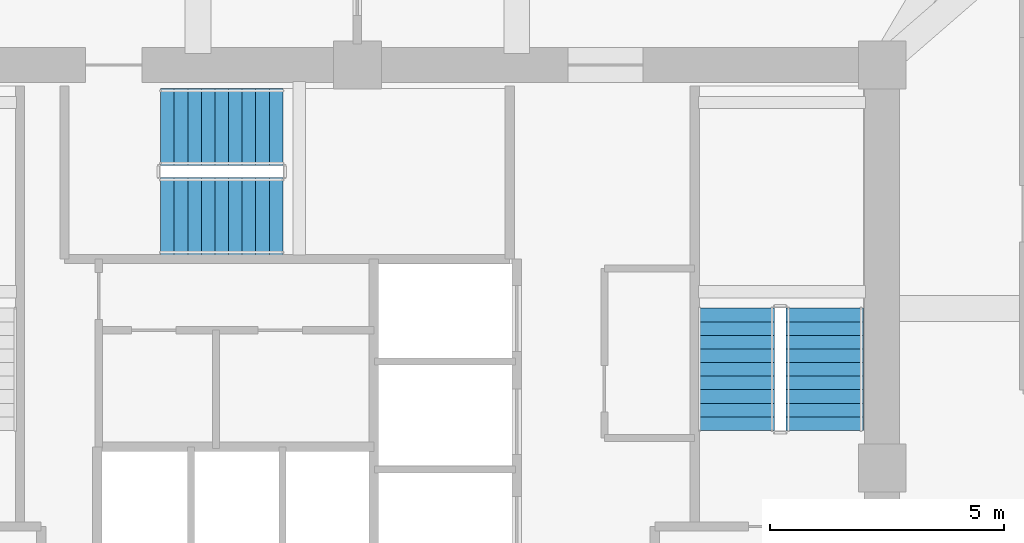
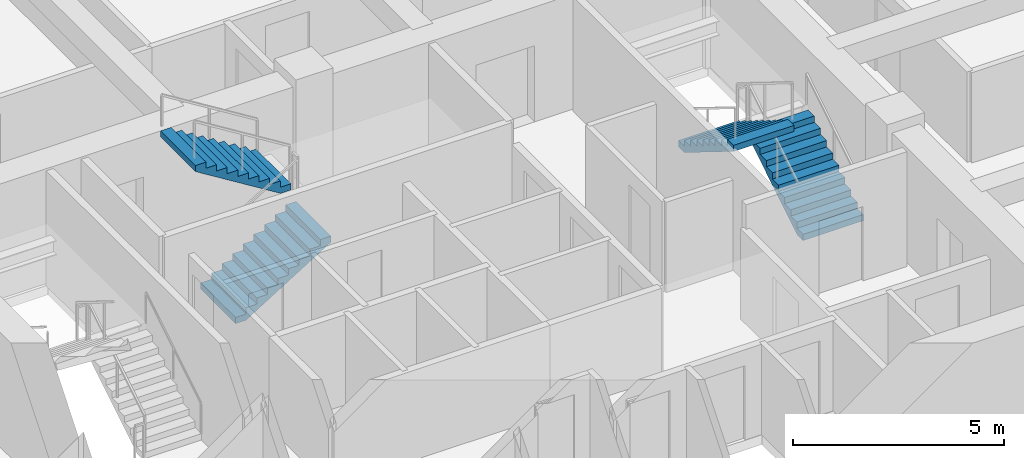
# One storey, part 12 of 14: 4 stair flights, 2 elements without a shape of their own.
"""IFC4 building model written with IfcOpenShell, lengths in metres."""

from ifc_helpers import new_model, si_unit, derived_unit, direction, frame, origin, place, context, subcontext, project, spatial, polyline, outline, extrude, material, type_object, element, aggregate, save


model = new_model("IFC4")

# Units and contexts
model_context = context("Model", 3, precision=1e-05, world=origin(), true_north=direction((0.0, 1.0)))
body_context = subcontext(model_context, "Body", "Model", "MODEL_VIEW")
ifc_project = project(units=[si_unit("LENGTHUNIT", "METRE"), si_unit("AREAUNIT", "SQUARE_METRE"), si_unit("VOLUMEUNIT", "CUBIC_METRE"), si_unit("PLANEANGLEUNIT", "RADIAN"), si_unit("MASSUNIT", "GRAM", prefix="KILO"), derived_unit("THERMALTRANSMITTANCEUNIT", [(si_unit("POWERUNIT", "WATT"), 1), (si_unit("LENGTHUNIT", "METRE"), -2), (si_unit("THERMODYNAMICTEMPERATUREUNIT", "KELVIN"), -1)])], contexts=[model_context])

# Site, building, storey
site_placement = place(None, origin())
site = spatial("IfcSite", under=ifc_project, at=site_placement, CompositionType="ELEMENT")
building_placement = place(site_placement, origin())
building = spatial("IfcBuilding", under=site, at=building_placement, Name="Koralith Skygarden Medical Center", CompositionType="ELEMENT")
storey_placement = place(building_placement, frame((0.0, 0.0, 95.580078125)))
storey = spatial("IfcBuildingStorey", under=building, at=storey_placement, Name="L24", CompositionType="ELEMENT", Elevation=95.580078125)

# Stair, stair flights
ifc_material = material(Name="Concrete C45/55", Category="concrete")
stair_type = type_object("IfcStairType", Name="Core Exit Dogleg Concrete Stair", PredefinedType="HALF_TURN_STAIR", material=ifc_material)
stair_1_placement = place(storey_placement, origin())
stair_1 = element("IfcStair", 1, at=stair_1_placement, inside=storey, type_object=stair_type, Name="L24 Smokeproof Exit Stair ST2", PredefinedType="HALF_TURN_STAIR")
stair_flight_type = type_object("IfcStairFlightType", Name="Core Exit Concrete Stair Flight 1650", PredefinedType="STRAIGHT", material=ifc_material)
stair_flight_1_placement = place(storey_placement, frame((46.97509765625, 26.699951171875, 0.0), z_axis=(0.0, 0.0, 1.0), x_axis=(0.0, 1.0, 0.0)))
stair_flight_1 = element("IfcStairFlight", 2, at=stair_flight_1_placement, type_object=stair_flight_type, Name="ST2 flight 1", NumberOfRisers=10, NumberOfTreads=9, PredefinedType="STRAIGHT", RiserHeight=0.18, TreadLength=0.29, context=body_context, shape_type="SweptSolid", body=[
    extrude(outline(polyline([(0.0, 0.0), (0.0, 0.179931640625), (0.2900390625, 0.179931640625), (0.2900390625, 0.360107421875), (0.580078125, 0.360107421875), (0.580078125, 0.5400390625), (0.8701171875, 0.5400390625), (0.8701171875, 0.719970703125), (1.159912109375, 0.719970703125), (1.159912109375, 0.89990234375), (1.449951171875, 0.89990234375), (1.449951171875, 1.080078125), (1.739990234375, 1.080078125), (1.739990234375, 1.260009765625), (2.030029296875, 1.260009765625), (2.030029296875, 1.43994140625), (2.320068359375, 1.43994140625), (2.320068359375, 1.6201171875), (2.610107421875, 1.6201171875), (2.610107421875, 1.800048828125), (2.610107421875, 1.443603515625), (0.2841796875, 0.0), (0.0, 0.0)])), frame((0.0, 0.824951171875, 0.0), z_axis=(0.0, -1.0, 0.0), x_axis=(1.0, 0.0, 0.0)), (0.0, 0.0, 1.0), 1.64990234375),
])
stair_flight_2_placement = place(storey_placement, frame((45.074951171875, 29.31005859375, 1.7998046875), z_axis=(0.0, 0.0, 1.0), x_axis=(0.0, -1.0, 0.0)))
stair_flight_2 = element("IfcStairFlight", 3, at=stair_flight_2_placement, type_object=stair_flight_type, Name="ST2 flight 2", NumberOfRisers=10, NumberOfTreads=9, PredefinedType="STRAIGHT", RiserHeight=0.18, TreadLength=0.29, context=body_context, shape_type="SweptSolid", body=[
    extrude(outline(polyline([(0.0, 0.0), (0.0, 0.179931640625), (0.2900390625, 0.179931640625), (0.2900390625, 0.360107421875), (0.580078125, 0.360107421875), (0.580078125, 0.5400390625), (0.8701171875, 0.5400390625), (0.8701171875, 0.719970703125), (1.159912109375, 0.719970703125), (1.159912109375, 0.89990234375), (1.449951171875, 0.89990234375), (1.449951171875, 1.080078125), (1.739990234375, 1.080078125), (1.739990234375, 1.260009765625), (2.030029296875, 1.260009765625), (2.030029296875, 1.43994140625), (2.320068359375, 1.43994140625), (2.320068359375, 1.6201171875), (2.610107421875, 1.6201171875), (2.610107421875, 1.800048828125), (2.610107421875, 1.443603515625), (0.2841796875, 0.0), (0.0, 0.0)])), frame((0.0, 0.824951171875, 0.0), z_axis=(0.0, -1.0, 0.0), x_axis=(1.0, 0.0, 0.0)), (0.0, 0.0, 1.0), 1.64990234375),
])
aggregate(stair_1, [stair_flight_1, stair_flight_2])

stair_2_placement = place(storey_placement, origin())
stair_2 = element("IfcStair", 4, at=stair_2_placement, inside=storey, type_object=stair_type, Name="L24 Smokeproof Exit Stair ST3", PredefinedType="HALF_TURN_STAIR")
stair_flight_3_placement = place(storey_placement, frame((32.800048828125, 31.27490234375, 0.0), z_axis=(0.0, 0.0, 1.0), x_axis=(1.0, 0.0, 0.0)))
stair_flight_3 = element("IfcStairFlight", 5, at=stair_flight_3_placement, type_object=stair_flight_type, Name="ST3 flight 1", NumberOfRisers=10, NumberOfTreads=9, PredefinedType="STRAIGHT", RiserHeight=0.18, TreadLength=0.29, context=body_context, shape_type="SweptSolid", body=[
    extrude(outline(polyline([(0.0, 0.0), (0.0, 0.179931640625), (0.2900390625, 0.179931640625), (0.2900390625, 0.360107421875), (0.580078125, 0.360107421875), (0.580078125, 0.5400390625), (0.8701171875, 0.5400390625), (0.8701171875, 0.719970703125), (1.159912109375, 0.719970703125), (1.159912109375, 0.89990234375), (1.449951171875, 0.89990234375), (1.449951171875, 1.080078125), (1.739990234375, 1.080078125), (1.739990234375, 1.260009765625), (2.030029296875, 1.260009765625), (2.030029296875, 1.43994140625), (2.320068359375, 1.43994140625), (2.320068359375, 1.6201171875), (2.610107421875, 1.6201171875), (2.610107421875, 1.800048828125), (2.610107421875, 1.443603515625), (0.2841796875, 0.0), (0.0, 0.0)])), frame((0.0, 0.824951171875, 0.0), z_axis=(0.0, -1.0, 0.0), x_axis=(1.0, 0.0, 0.0)), (0.0, 0.0, 1.0), 1.64990234375),
])
stair_flight_4_placement = place(storey_placement, frame((35.409912109375, 33.175048828125, 1.7998046875), z_axis=(0.0, 0.0, 1.0), x_axis=(-1.0, 0.0, 0.0)))
stair_flight_4 = element("IfcStairFlight", 6, at=stair_flight_4_placement, type_object=stair_flight_type, Name="ST3 flight 2", NumberOfRisers=10, NumberOfTreads=9, PredefinedType="STRAIGHT", RiserHeight=0.18, TreadLength=0.29, context=body_context, shape_type="SweptSolid", body=[
    extrude(outline(polyline([(0.0, 0.0), (0.0, 0.179931640625), (0.2900390625, 0.179931640625), (0.2900390625, 0.360107421875), (0.580078125, 0.360107421875), (0.580078125, 0.5400390625), (0.8701171875, 0.5400390625), (0.8701171875, 0.719970703125), (1.159912109375, 0.719970703125), (1.159912109375, 0.89990234375), (1.449951171875, 0.89990234375), (1.449951171875, 1.080078125), (1.739990234375, 1.080078125), (1.739990234375, 1.260009765625), (2.030029296875, 1.260009765625), (2.030029296875, 1.43994140625), (2.320068359375, 1.43994140625), (2.320068359375, 1.6201171875), (2.610107421875, 1.6201171875), (2.610107421875, 1.800048828125), (2.610107421875, 1.443603515625), (0.2841796875, 0.0), (0.0, 0.0)])), frame((0.0, 0.824951171875, 0.0), z_axis=(0.0, -1.0, 0.0), x_axis=(1.0, 0.0, 0.0)), (0.0, 0.0, 1.0), 1.64990234375),
])
aggregate(stair_2, [stair_flight_3, stair_flight_4])

save(model, "model.ifc")
